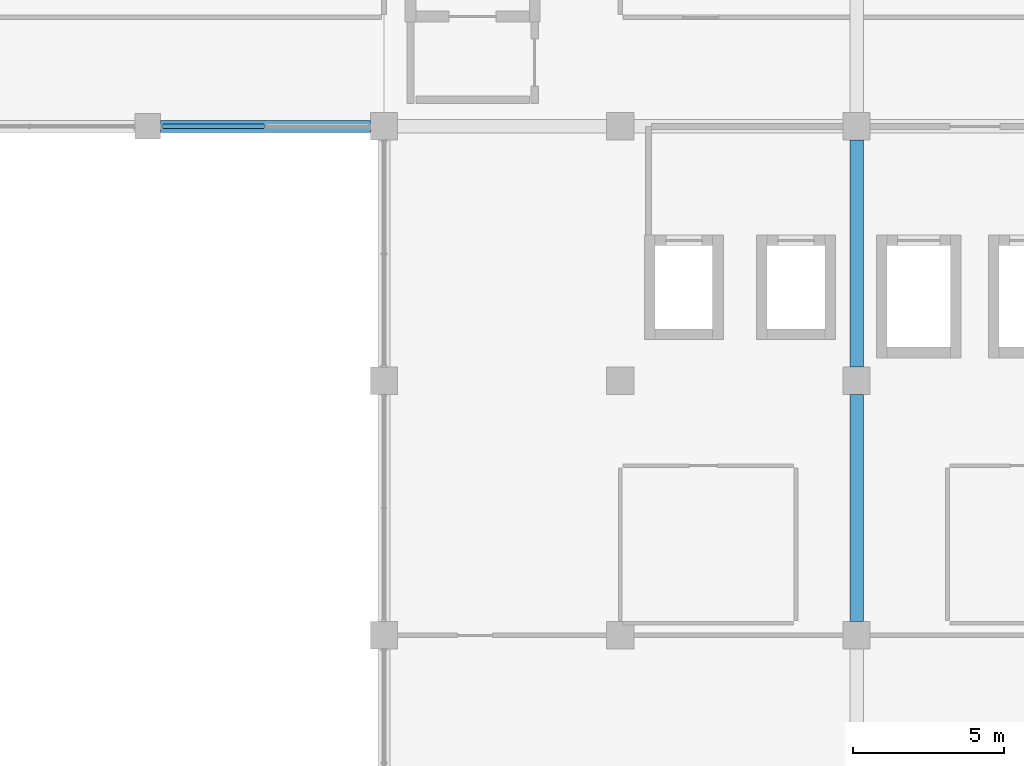
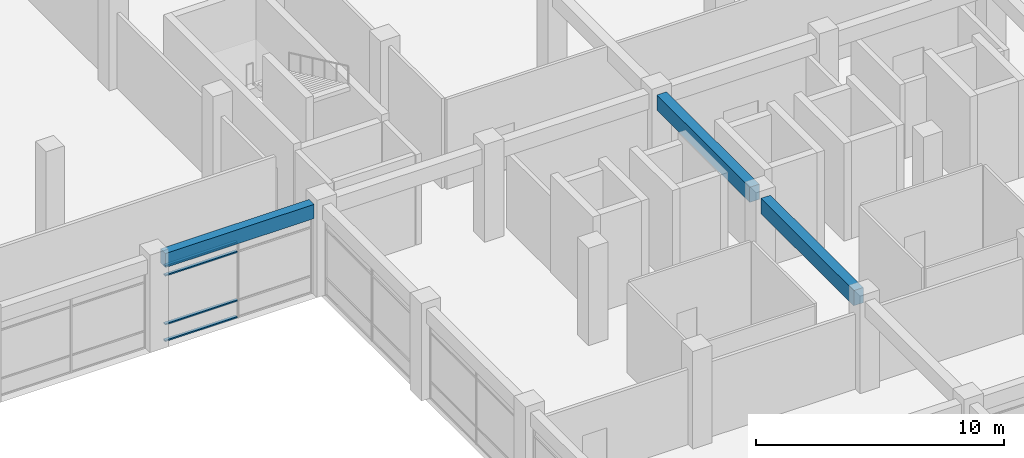
# One storey, part 32 of 79: 4 members, 3 beams, 1 element without a shape of its own.
"""IFC4 building model written with IfcOpenShell, lengths in metres."""

import ifcopenshell
import ifcopenshell.guid

model = None  # the IFC model being written
_history = None  # IfcOwnerHistory: only IFC2X3 demands one
_inside = {}  # id of a spatial element -> (the spatial element, [elements in it])
_under = {}  # id of a project, library or spatial element -> (it, [spatial elements below it])
_declared = {}  # id of a project -> (the project, [libraries it declares])
_typed = {}  # id of a type object -> (the type object, [elements of that type])
_made_of = {}  # id of a material, layer set ... -> (it, [elements and type objects made of it])


def new_model(schema):
    """Start an empty IFC model of exactly this schema.

    Asked for "IFC4X3", IfcOpenShell would pick the latest addendum, in which some entities
    have other attributes; the version numbers below select the first issue.
    IFC2X3 requires an IfcOwnerHistory on every rooted entity: one is made here for all.
    """
    global model, _history
    if schema == "IFC4X3":
        model = ifcopenshell.file(schema_version=(4, 3, 0, 0))
    else:
        model = ifcopenshell.file(schema=schema)
    _inside.clear()
    _under.clear()
    _declared.clear()
    _typed.clear()
    _made_of.clear()
    _history = None
    if model.schema == "IFC2X3":
        org = make("IfcOrganization", Name="unknown")
        user = make(
            "IfcPersonAndOrganization",
            ThePerson=make("IfcPerson", FamilyName="unknown"),
            TheOrganization=org,
        )
        app = make(
            "IfcApplication",
            ApplicationDeveloper=org,
            Version="unknown",
            ApplicationFullName="unknown",
            ApplicationIdentifier="unknown",
        )
        _history = make(
            "IfcOwnerHistory",
            OwningUser=user,
            OwningApplication=app,
            ChangeAction="ADDED",
            CreationDate=0,
        )
    return model


def make(cls, **values):
    """One entity of the class cls with the attributes given. An attribute that is None is left unset."""
    return model.create_entity(
        cls, **{name: value for name, value in values.items() if value is not None}
    )


def rooted(cls, **values):
    """An entity with a GlobalId (a new one), such as an element, a storey or a relation."""
    return make(cls, GlobalId=ifcopenshell.guid.new(), OwnerHistory=_history, **values)


def si_unit(unit_type, name, prefix=None):
    """IfcSIUnit, for example si_unit("LENGTHUNIT", "METRE", prefix="MILLI")."""
    return make("IfcSIUnit", UnitType=unit_type, Prefix=prefix, Name=name)


def assignment(units):
    """IfcUnitAssignment: the units of a project."""
    return None if units is None else make("IfcUnitAssignment", Units=units)


def point(xyz):
    """IfcCartesianPoint."""
    return None if xyz is None else make("IfcCartesianPoint", Coordinates=xyz)


def direction(xyz):
    """IfcDirection."""
    return None if xyz is None else make("IfcDirection", DirectionRatios=xyz)


def frame(location, z_axis=None, x_axis=None):
    """IfcAxis2Placement3D, a coordinate frame: its origin and axes. An axis left out is left unset."""
    return make(
        "IfcAxis2Placement3D",
        Location=point(location),
        Axis=direction(z_axis),
        RefDirection=direction(x_axis),
    )


def frame_2d(location, x_axis=None):
    """IfcAxis2Placement2D, a coordinate frame in the plane: its origin and x axis."""
    return make(
        "IfcAxis2Placement2D", Location=point(location), RefDirection=direction(x_axis)
    )


def origin():
    """The frame at (0, 0, 0) with its axes left unset."""
    return frame((0.0, 0.0, 0.0))


def origin_2d():
    """The frame at (0, 0) in the plane with its x axis left unset."""
    return frame_2d((0.0, 0.0))


def place(relative_to, where):
    """IfcLocalPlacement: puts the frame where relative to a parent placement (None: the world)."""
    return make(
        "IfcLocalPlacement", PlacementRelTo=relative_to, RelativePlacement=where
    )


def context(
    kind, dimensions, precision=None, world=None, true_north=None, identifier=None
):
    """IfcGeometricRepresentationContext, for example the 3D "Model" context."""
    return make(
        "IfcGeometricRepresentationContext",
        ContextIdentifier=identifier,
        ContextType=kind,
        CoordinateSpaceDimension=dimensions,
        Precision=precision,
        WorldCoordinateSystem=world,
        TrueNorth=true_north,
    )


def subcontext(parent, identifier, kind, view, scale=None):
    """IfcGeometricRepresentationSubContext, for example "Body" below "Model"."""
    return make(
        "IfcGeometricRepresentationSubContext",
        ContextIdentifier=identifier,
        ContextType=kind,
        ParentContext=parent,
        TargetScale=scale,
        TargetView=view,
    )


def project(units=None, contexts=None):
    """IfcProject with its units and contexts."""
    return rooted(
        "IfcProject",
        Name="project",
        RepresentationContexts=contexts,
        UnitsInContext=assignment(units),
    )


def spatial(cls, under=None, at=None, **own):
    """A site, building, storey or space (cls), placed at a placement, below another one or the project."""
    s = rooted(cls, ObjectPlacement=at, **own)
    if under is not None:
        _under.setdefault(under.id(), (under, []))[1].append(s)
    return s


def profile(cls, at=None, kind="AREA", **sizes):
    """A parametric profile (cls). Its sizes go by their IFC names, for example OverallWidth=200.0."""
    return make(cls, ProfileType=kind, Position=at, **sizes)


def rectangle(**sizes):
    """IfcRectangleProfileDef."""
    return profile("IfcRectangleProfileDef", **sizes)


def hollow_rectangle(**sizes):
    """IfcRectangleHollowProfileDef."""
    return profile("IfcRectangleHollowProfileDef", **sizes)


def extrude(swept, where, along, depth):
    """IfcExtrudedAreaSolid: the profile swept, set in the frame where, extruded along a direction by depth."""
    return make(
        "IfcExtrudedAreaSolid",
        SweptArea=swept,
        Position=where,
        ExtrudedDirection=direction(along),
        Depth=depth,
    )


def shape(context_of_items, identifier, shape_type, items):
    """IfcShapeRepresentation: the items that make up one representation, for example the "Body"."""
    return make(
        "IfcShapeRepresentation",
        ContextOfItems=context_of_items,
        RepresentationIdentifier=identifier,
        RepresentationType=shape_type,
        Items=items,
    )


def material(Name=None, Category=None):
    """IfcMaterial."""
    return make("IfcMaterial", Name=Name, Category=Category)


def material_profile(
    of_material, cross_section, Name=None, Category=None, Priority=None
):
    """IfcMaterialProfile: a cross section and its material."""
    return make(
        "IfcMaterialProfile",
        Name=Name,
        Material=of_material,
        Profile=cross_section,
        Priority=Priority,
        Category=Category,
    )


def profile_set(profiles, Name=None, composite=None):
    """IfcMaterialProfileSet."""
    return make(
        "IfcMaterialProfileSet",
        Name=Name,
        MaterialProfiles=profiles,
        CompositeProfile=composite,
    )


def made_of(thing, what):
    """Note that an element or type object is made of a material, layer set ...; save() writes the relation."""
    if what is not None:
        _made_of.setdefault(what.id(), (what, []))[1].append(thing)
    return thing


def type_object(cls, material=None, **own):
    """A type object (cls), such as IfcWallType, which elements share."""
    return made_of(rooted(cls, **own), material)


def element(
    cls,
    number,
    at=None,
    inside=None,
    cuts=None,
    type_object=None,
    material=None,
    context=None,
    identifier="Body",
    shape_type=None,
    held_by="IfcProductDefinitionShape",
    body=None,
    shapes=None,
    **own,
):
    """One element of the class cls, such as IfcWall. Its Tag is "e" and its number.

    at: its placement. inside: the storey or other place that contains it. cuts: it is an
    opening in that element (IfcRelVoidsElement). A single representation is given by context,
    identifier, shape_type and body (its items); several are given by shapes. held_by: the class
    of the entity that holds the representations. save() writes the other relations.
    """
    e = rooted(cls, Tag="e%d" % number, ObjectPlacement=at, **own)
    if body is not None:
        shapes = [shape(context, identifier, shape_type, body)]
    if shapes is not None:
        e.Representation = make(held_by, Representations=shapes)
    if inside is not None:
        _inside.setdefault(inside.id(), (inside, []))[1].append(e)
    if cuts is not None:
        rooted(
            "IfcRelVoidsElement", RelatingBuildingElement=cuts, RelatedOpeningElement=e
        )
    if type_object is not None:
        _typed.setdefault(type_object.id(), (type_object, []))[1].append(e)
    return made_of(e, material)


def aggregate(whole, parts):
    """IfcRelAggregates: a whole, such as a stair, and the parts it consists of."""
    return rooted("IfcRelAggregates", RelatingObject=whole, RelatedObjects=parts)


def save(model, path):
    """Write the relations noted so far, then the file.

    IfcRelAggregates (storeys below a building ...), IfcRelContainedInSpatialStructure (elements
    in a storey), IfcRelDefinesByType, IfcRelAssociatesMaterial and IfcRelDeclares: one each for
    every whole, place, type object, material and project.
    """
    for whole, parts in _under.values():
        aggregate(whole, parts)
    for where, things in _inside.values():
        rooted(
            "IfcRelContainedInSpatialStructure",
            RelatedElements=things,
            RelatingStructure=where,
        )
    for kind, things in _typed.values():
        rooted("IfcRelDefinesByType", RelatedObjects=things, RelatingType=kind)
    for what, things in _made_of.values():
        rooted("IfcRelAssociatesMaterial", RelatedObjects=things, RelatingMaterial=what)
    for by, libraries in _declared.values():
        rooted("IfcRelDeclares", RelatingContext=by, RelatedDefinitions=libraries)
    model.write(path)


model = new_model("IFC4")

# Units and contexts
model_context = context("Model", 3, precision=1e-05, world=origin(), true_north=direction((0.0, 1.0)))
body_context = subcontext(model_context, "Body", "Model", "MODEL_VIEW")
ifc_project = project(units=[si_unit("LENGTHUNIT", "METRE"), si_unit("AREAUNIT", "SQUARE_METRE"), si_unit("VOLUMEUNIT", "CUBIC_METRE"), si_unit("PLANEANGLEUNIT", "RADIAN"), si_unit("MASSUNIT", "GRAM", prefix="KILO"), si_unit("THERMODYNAMICTEMPERATUREUNIT", "KELVIN"), si_unit("POWERUNIT", "WATT")], contexts=[model_context])

# Site, building, storey
site_placement = place(None, origin())
site = spatial("IfcSite", under=ifc_project, at=site_placement, CompositionType="ELEMENT")
building_placement = place(site_placement, origin())
building = spatial("IfcBuilding", under=site, at=building_placement, Name="Srebrne Nadtorze General Hospital", CompositionType="ELEMENT")
storey_placement = place(building_placement, frame((0.0, 0.0, 4.800048828125)))
storey = spatial("IfcBuildingStorey", under=building, at=storey_placement, Name="L01", CompositionType="ELEMENT", Elevation=4.800048828125)

# Curtain wall, members
ifc_material_1 = material(Name="Anodised Aluminium", Category="aluminium")
curtain_wall_type = type_object("IfcCurtainWallType", Name="Unitised curtain wall 6925x3750", PredefinedType="NOTDEFINED", material=ifc_material_1)
curtain_wall_placement = place(storey_placement, origin())
curtain_wall = element("IfcCurtainWall", 1, at=curtain_wall_placement, inside=storey, type_object=curtain_wall_type, Name="Curtain wall CW-055", PredefinedType="NOTDEFINED")
ifc_material_2 = material(Name="Anodised Aluminium", Category="aluminium")
ifc_material_profile_1 = material_profile(ifc_material_2, hollow_rectangle(XDim=0.06494140625, YDim=0.139892578125, WallThickness=0.00390625, at=origin_2d()), Name="AL-TRN-65x140")
ifc_profile_set_1 = profile_set([ifc_material_profile_1], Name="Anodised Aluminium")
member_type = type_object("IfcMemberType", Name="Curtain transom 65x140", PredefinedType="USERDEFINED", material=ifc_profile_set_1)
member_1_placement = place(storey_placement, frame((94.090087890625, 50.39990234375, 0.032470703125), z_axis=(1.0, 0.0, 0.0), x_axis=(0.0, 0.0, 1.0)))
member_1 = element("IfcMember", 2, at=member_1_placement, type_object=member_type, Name="CW-055 transom 1.1", ObjectType="TRANSOM", PredefinedType="USERDEFINED", context=body_context, shape_type="SweptSolid", body=[
    extrude(hollow_rectangle(XDim=0.06494140625, YDim=0.139892578125, WallThickness=0.00390625, at=origin_2d()), origin(), (0.0, 0.0, 1.0), 3.364990234375),
])
member_2_placement = place(storey_placement, frame((94.090087890625, 50.39990234375, 0.849853515625), z_axis=(1.0, 0.0, 0.0), x_axis=(0.0, 0.0, 1.0)))
member_2 = element("IfcMember", 3, at=member_2_placement, type_object=member_type, Name="CW-055 transom 1.2", ObjectType="TRANSOM", PredefinedType="USERDEFINED", context=body_context, shape_type="SweptSolid", body=[
    extrude(hollow_rectangle(XDim=0.06494140625, YDim=0.139892578125, WallThickness=0.00390625, at=origin_2d()), origin(), (0.0, 0.0, 1.0), 3.364990234375),
])
member_3_placement = place(storey_placement, frame((94.090087890625, 50.39990234375, 3.25), z_axis=(1.0, 0.0, 0.0), x_axis=(0.0, 0.0, 1.0)))
member_3 = element("IfcMember", 4, at=member_3_placement, type_object=member_type, Name="CW-055 transom 1.3", ObjectType="TRANSOM", PredefinedType="USERDEFINED", context=body_context, shape_type="SweptSolid", body=[
    extrude(hollow_rectangle(XDim=0.06494140625, YDim=0.139892578125, WallThickness=0.00390625, at=origin_2d()), origin(), (0.0, 0.0, 1.0), 3.364990234375),
])
member_4_placement = place(storey_placement, frame((94.090087890625, 50.39990234375, 3.717529296875), z_axis=(1.0, 0.0, 0.0), x_axis=(0.0, 0.0, 1.0)))
member_4 = element("IfcMember", 5, at=member_4_placement, type_object=member_type, Name="CW-055 transom 1.4", ObjectType="TRANSOM", PredefinedType="USERDEFINED", context=body_context, shape_type="SweptSolid", body=[
    extrude(hollow_rectangle(XDim=0.06494140625, YDim=0.139892578125, WallThickness=0.00390625, at=origin_2d()), origin(), (0.0, 0.0, 1.0), 3.364990234375),
])
aggregate(curtain_wall, [member_1, member_2, member_3, member_4])

# Beams
ifc_material_3 = material(Name="Concrete C40/50", Category="concrete")
ifc_material_profile_2 = material_profile(ifc_material_3, rectangle(XDim=0.39990234375, YDim=0.699951171875, at=origin_2d()), Name="RC-BM-400x700")
ifc_profile_set_2 = profile_set([ifc_material_profile_2], Name="Concrete C40/50")
beam_type_1 = type_object("IfcBeamType", Name="Edge beam RC 400x700", PredefinedType="BEAM", material=ifc_profile_set_2)
beam_placement = place(storey_placement, frame((94.02490234375, 50.39990234375, 4.099853515625), z_axis=(1.0, 0.0, 0.0), x_axis=(0.0, 1.0, 0.0)))
element("IfcBeam", 6, at=beam_placement, inside=storey, type_object=beam_type_1, Name="Beam BM-L01-X-0417", PredefinedType="BEAM", context=body_context, shape_type="SweptSolid", body=[
    extrude(rectangle(XDim=0.39990234375, YDim=0.699951171875, at=origin_2d()), origin(), (0.0, 0.0, 1.0), 6.925048828125),
])
ifc_material_4 = material(Name="Concrete C40/50", Category="concrete")
ifc_material_profile_3 = material_profile(ifc_material_4, rectangle(XDim=0.449951171875, YDim=0.75, at=origin_2d()), Name="RC-BM-450x750")
ifc_profile_set_3 = profile_set([ifc_material_profile_3], Name="Concrete C40/50")
beam_type_2 = type_object("IfcBeamType", Name="Primary beam RC 450x750", PredefinedType="BEAM", material=ifc_profile_set_3)
for number, where, z_axis, x_axis, name in (
    (7, (117.0, 34.050048828125, 4.074951171875), (0.0, 1.0, 0.0), (-1.0, 0.0, 0.0), "Beam BM-L01-Y-0518"),
    (8, (117.0, 42.449951171875, 4.074951171875), (0.0, 1.0, 0.0), (-1.0, 0.0, 0.0), "Beam BM-L01-Y-0519"),
):
    element("IfcBeam", number, at=place(storey_placement, frame(where, z_axis=z_axis, x_axis=x_axis)), inside=storey, type_object=beam_type_2, Name=name, PredefinedType="BEAM", context=body_context, shape_type="SweptSolid", body=[
        extrude(rectangle(XDim=0.449951171875, YDim=0.75, at=origin_2d()), origin(), (0.0, 0.0, 1.0), 7.5),
    ])

save(model, "model.ifc")
